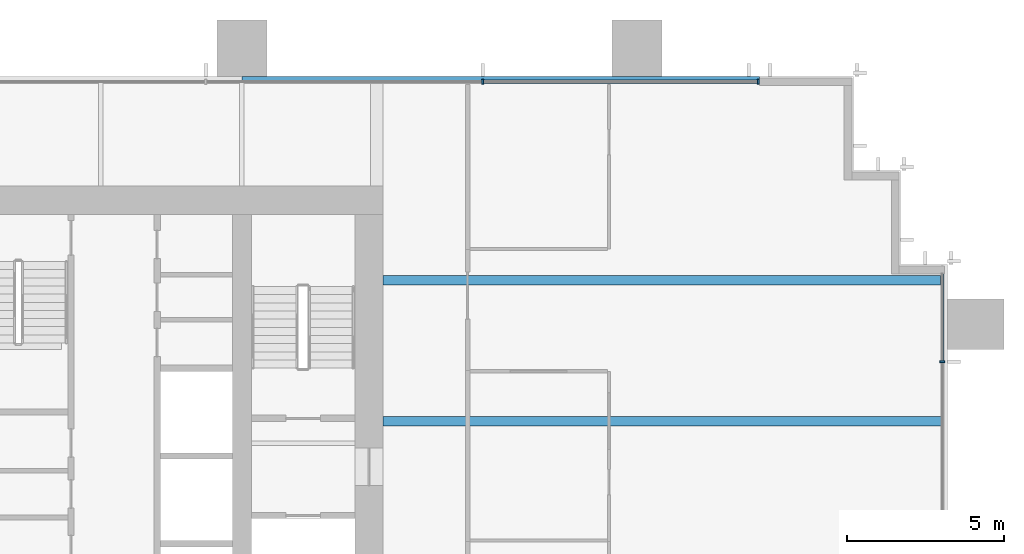
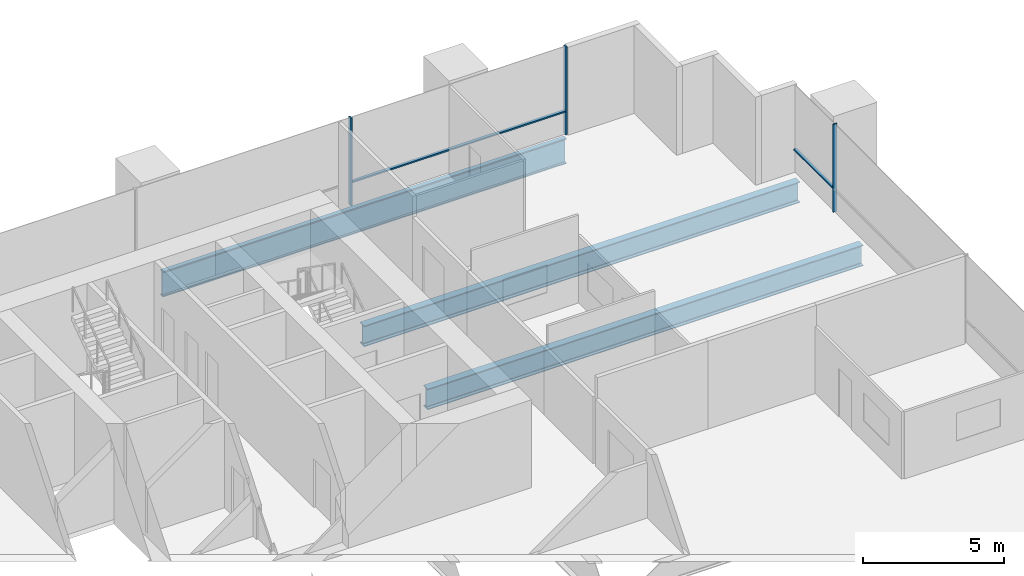
# One storey, part 10 of 17: 5 members, 3 beams, 2 elements without a shape of their own.
"""IFC4 building model written with IfcOpenShell, lengths in metres."""

from ifc_helpers import new_model, si_unit, direction, frame, origin, origin_2d, place, context, subcontext, project, spatial, rectangle, i_section, extrude, material, material_profile, profile_set, type_object, element, aggregate, save


model = new_model("IFC4")

# Units and contexts
model_context = context("Model", 3, precision=1e-05, world=origin(), true_north=direction((0.0, 1.0)))
body_context = subcontext(model_context, "Body", "Model", "MODEL_VIEW")
ifc_project = project(units=[si_unit("LENGTHUNIT", "METRE"), si_unit("AREAUNIT", "SQUARE_METRE"), si_unit("VOLUMEUNIT", "CUBIC_METRE"), si_unit("PLANEANGLEUNIT", "RADIAN"), si_unit("MASSUNIT", "GRAM", prefix="KILO")], contexts=[model_context])

# Site, building, storey
site_placement = place(None, origin())
site = spatial("IfcSite", under=ifc_project, at=site_placement, CompositionType="ELEMENT")
building_placement = place(site_placement, origin())
building = spatial("IfcBuilding", under=site, at=building_placement, Name="Rattan Terrace Tower", CompositionType="ELEMENT")
storey_placement = place(building_placement, frame((0.0, 0.0, 95.699951171875)))
storey = spatial("IfcBuildingStorey", under=building, at=storey_placement, Name="L21", CompositionType="ELEMENT", Elevation=95.699951171875)

# Curtain wall, member
ifc_material_1 = material(Name="Aluminium and glass", Category="aluminium")
curtain_wall_type = type_object("IfcCurtainWallType", Name="Facade Unitised Curtain Wall", PredefinedType="NOTDEFINED", material=ifc_material_1)
curtain_wall_1_placement = place(storey_placement, origin())
curtain_wall_1 = element("IfcCurtainWall", 1, at=curtain_wall_1_placement, inside=storey, type_object=curtain_wall_type, Name="Curtain wall L21-1", PredefinedType="NOTDEFINED")
ifc_material_2 = material(Name="Aluminium", Category="aluminium")
ifc_material_profile_1 = material_profile(ifc_material_2, rectangle(XDim=0.06005859375, YDim=0.159912109375, at=origin_2d()), Name="Aluminium 60x160")
ifc_profile_set_1 = profile_set([ifc_material_profile_1], Name="Aluminium")
member_type_1 = type_object("IfcMemberType", Name="Facade CW Mullion 60x160", PredefinedType="MULLION", material=ifc_profile_set_1)
member_1_placement = place(storey_placement, frame((35.830078125, 1.89990234375, 0.0), z_axis=(0.0, 0.0, 1.0), x_axis=(0.0, 1.0, 0.0)))
member_1 = element("IfcMember", 2, at=member_1_placement, type_object=member_type_1, Name="Mullion cwl-L21-001.4", PredefinedType="MULLION", context=body_context, shape_type="SweptSolid", body=[
    extrude(rectangle(XDim=0.06005859375, YDim=0.159912109375, at=origin_2d()), origin(), (0.0, 0.0, 1.0), 3.800048828125),
])

# Curtain wall, members
curtain_wall_2_placement = place(storey_placement, origin())
curtain_wall_2 = element("IfcCurtainWall", 3, at=curtain_wall_2_placement, inside=storey, type_object=curtain_wall_type, Name="Curtain wall L21-2", PredefinedType="NOTDEFINED")
member_2_placement = place(storey_placement, frame((29.969970703125, 10.830078125, 0.0), z_axis=(0.0, 0.0, 1.0), x_axis=(-1.0, 0.0, 0.0)))
member_2 = element("IfcMember", 4, at=member_2_placement, type_object=member_type_1, Name="Mullion cwl-L21-002.1", PredefinedType="MULLION", context=body_context, shape_type="SweptSolid", body=[
    extrude(rectangle(XDim=0.06005859375, YDim=0.159912109375, at=origin_2d()), origin(), (0.0, 0.0, 1.0), 3.800048828125),
])
member_3_placement = place(storey_placement, frame((21.177001953125, 10.830078125, 0.0), z_axis=(0.0, 0.0, 1.0), x_axis=(-1.0, 0.0, 0.0)))
member_3 = element("IfcMember", 5, at=member_3_placement, type_object=member_type_1, Name="Mullion cwl-L21-002.2", PredefinedType="MULLION", context=body_context, shape_type="SweptSolid", body=[
    extrude(rectangle(XDim=0.06005859375, YDim=0.159912109375, at=origin_2d()), origin(), (0.0, 0.0, 1.0), 3.800048828125),
])

# Member
ifc_material_3 = material(Name="Aluminium", Category="aluminium")
ifc_material_profile_2 = material_profile(ifc_material_3, rectangle(XDim=0.1201171875, YDim=0.06005859375, at=origin_2d()), Name="Aluminium 120x60")
ifc_profile_set_2 = profile_set([ifc_material_profile_2], Name="Aluminium")
member_type_2 = type_object("IfcMemberType", Name="Facade CW Transom 120x60", PredefinedType="USERDEFINED", material=ifc_profile_set_2)
member_4_placement = place(storey_placement, frame((35.830078125, 1.929931640625, 1.0), z_axis=(0.0, 1.0, 0.0), x_axis=(-1.0, 0.0, 0.0)))
member_4 = element("IfcMember", 6, at=member_4_placement, type_object=member_type_2, Name="Transom cwl-L21-001.4", ObjectType="TRANSOM", PredefinedType="USERDEFINED", context=body_context, shape_type="SweptSolid", body=[
    extrude(rectangle(XDim=0.1201171875, YDim=0.06005859375, at=origin_2d()), origin(), (0.0, 0.0, 1.0), 2.775146484375),
])

aggregate(curtain_wall_1, [member_1, member_4])

member_5_placement = place(storey_placement, frame((29.93994140625, 10.830078125, 1.0), z_axis=(-1.0, 0.0, 0.0), x_axis=(0.0, -1.0, 0.0)))
member_5 = element("IfcMember", 7, at=member_5_placement, type_object=member_type_2, Name="Transom cwl-L21-002.1", ObjectType="TRANSOM", PredefinedType="USERDEFINED", context=body_context, shape_type="SweptSolid", body=[
    extrude(rectangle(XDim=0.1201171875, YDim=0.06005859375, at=origin_2d()), origin(), (0.0, 0.0, 1.0), 8.73291015625),
])

aggregate(curtain_wall_2, [member_2, member_3, member_5])

# Beams
ifc_material_4 = material(Name="Steel S460", Category="steel")
ifc_material_profile_3 = material_profile(ifc_material_4, i_section(OverallWidth=0.179931640625, OverallDepth=1.10009765625, WebThickness=0.01611328125, FlangeThickness=0.050048828125, at=origin_2d()), Name="PG 1100x180-16-50")
ifc_profile_set_3 = profile_set([ifc_material_profile_3], Name="Steel S460")
beam_type_1 = type_object("IfcBeamType", Name="Frame edge girder PG 1100x180-16-50", PredefinedType="SPANDREL", material=ifc_profile_set_3)
beam_placement = place(storey_placement, frame((30.0, 10.909912109375, -0.75), z_axis=(-1.0, 0.0, 0.0), x_axis=(0.0, -1.0, 0.0)))
element("IfcBeam", 8, at=beam_placement, inside=storey, type_object=beam_type_1, Name="gdr-L21-008", PredefinedType="SPANDREL", context=body_context, shape_type="SweptSolid", body=[
    extrude(i_section(OverallWidth=0.179931640625, OverallDepth=1.10009765625, WebThickness=0.01611328125, FlangeThickness=0.050048828125, at=origin_2d()), origin(), (0.0, 0.0, 1.0), 16.5),
])
ifc_material_5 = material(Name="Steel S355", Category="steel")
ifc_material_profile_4 = material_profile(ifc_material_5, i_section(OverallWidth=0.300048828125, OverallDepth=0.89990234375, WebThickness=0.0185546875, FlangeThickness=0.034912109375, FilletRadius=0.030029296875, at=origin_2d()), Name="HE 900 B")
ifc_profile_set_4 = profile_set([ifc_material_profile_4], Name="Steel S355")
beam_type_2 = type_object("IfcBeamType", Name="Frame floor beam HE 900 B", PredefinedType="JOIST", material=ifc_profile_set_4)
for number, where, z_axis, x_axis, name in (
    (9, (18.0, 0.0, -0.64990234375), (1.0, 0.0, 0.0), (0.0, 1.0, 0.0), "bm-L21-015"),
    (10, (18.0, 4.5, -0.64990234375), (1.0, 0.0, 0.0), (0.0, 1.0, 0.0), "bm-L21-017"),
):
    element("IfcBeam", number, at=place(storey_placement, frame(where, z_axis=z_axis, x_axis=x_axis)), inside=storey, type_object=beam_type_2, Name=name, PredefinedType="JOIST", context=body_context, shape_type="SweptSolid", body=[
        extrude(i_section(OverallWidth=0.300048828125, OverallDepth=0.89990234375, WebThickness=0.0185546875, FlangeThickness=0.034912109375, FilletRadius=0.030029296875, at=origin_2d()), origin(), (0.0, 0.0, 1.0), 17.820068359375),
    ])

save(model, "model.ifc")
